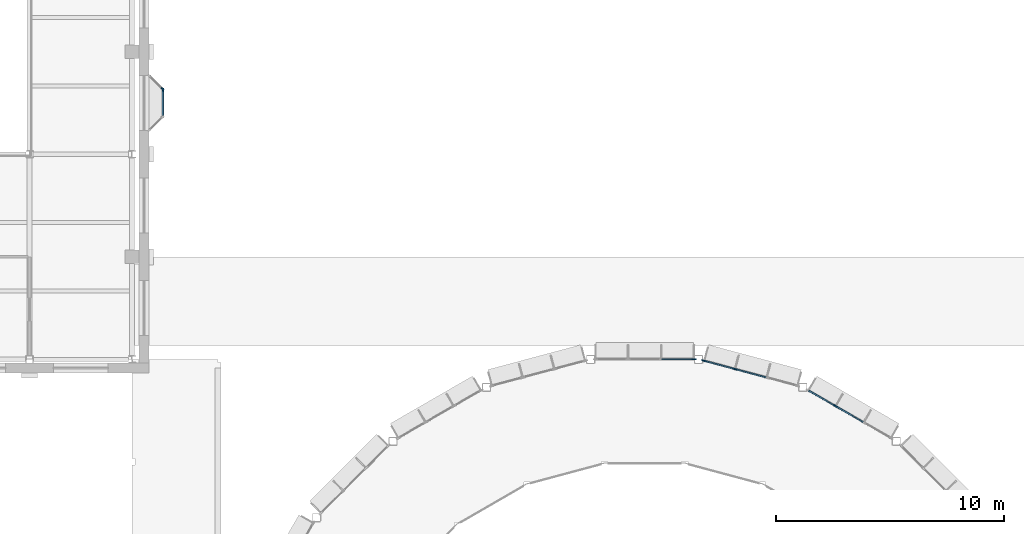
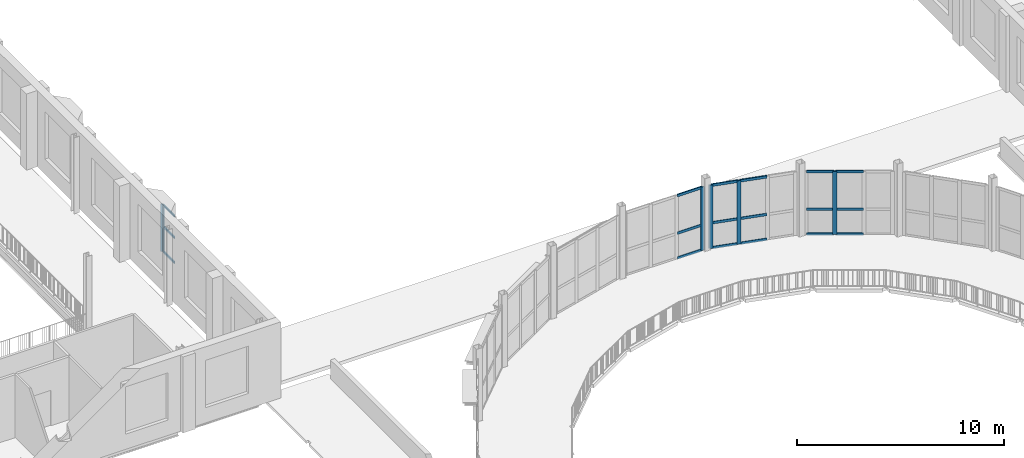
# One storey, part 18 of 74: 24 members, 5 elements without a shape of their own.
"""IFC4 building model written with IfcOpenShell, lengths in metres."""

from ifc_helpers import new_model, si_unit, direction, frame, origin, origin_2d, place, context, subcontext, project, spatial, rectangle, extrude, material, layer, layer_set, material_profile, profile_set, type_object, element, aggregate, save


model = new_model("IFC4")

# Units and contexts
model_context = context("Model", 3, precision=1e-05, world=origin(), true_north=direction((0.0, 1.0)))
body_context = subcontext(model_context, "Body", "Model", "MODEL_VIEW")
ifc_project = project(units=[si_unit("LENGTHUNIT", "METRE"), si_unit("AREAUNIT", "SQUARE_METRE"), si_unit("VOLUMEUNIT", "CUBIC_METRE"), si_unit("PLANEANGLEUNIT", "RADIAN"), si_unit("MASSUNIT", "GRAM", prefix="KILO")], contexts=[model_context])

# Site, building, storey
site_placement = place(None, origin())
site = spatial("IfcSite", under=ifc_project, at=site_placement, CompositionType="ELEMENT")
building_placement = place(site_placement, origin())
building = spatial("IfcBuilding", under=site, at=building_placement, Name="Hortulan Conservatory and Botanical Research Centre", CompositionType="ELEMENT")
storey_placement = place(building_placement, frame((0.0, 0.0, 6.0)))
storey = spatial("IfcBuildingStorey", under=building, at=storey_placement, Name="L01", CompositionType="ELEMENT", Elevation=6.0)

# Curtain wall, member
ifc_material = material(Name="Bronze-finished aluminium", Category="aluminium")
ifc_layer_1 = layer(ifc_material, 0.10009765625)
ifc_layer_set_1 = layer_set([ifc_layer_1], Name="Oriel Curtain Wall 1350 module")
curtain_wall_type_1 = type_object("IfcCurtainWallType", Name="Oriel Curtain Wall 1350 module", PredefinedType="NOTDEFINED", material=ifc_layer_set_1)
curtain_wall_1_placement = place(storey_placement, origin())
curtain_wall_1 = element("IfcCurtainWall", 1, at=curtain_wall_1_placement, inside=storey, type_object=curtain_wall_type_1, Name="Oriel glazing", PredefinedType="NOTDEFINED")
ifc_material_profile_1 = material_profile(ifc_material, rectangle(XDim=0.06005859375, YDim=0.159912109375, at=origin_2d()), Name="Bronze Mullion 60x160")
ifc_profile_set_1 = profile_set([ifc_material_profile_1], Name="Bronze-finished aluminium")
member_type_1 = type_object("IfcMemberType", Name="Bronze Mullion 60x160", PredefinedType="MULLION", material=ifc_profile_set_1)
member_1_placement = place(storey_placement, frame((32.828857421875, 47.87109375, 0.89990234375), z_axis=(0.0, 0.0, 1.0), x_axis=(0.707106781187, 0.707106781187, 0.0)))
member_1 = element("IfcMember", 2, at=member_1_placement, type_object=member_type_1, Name="CW2 mullion 2", PredefinedType="MULLION", context=body_context, shape_type="SweptSolid", body=[
    extrude(rectangle(XDim=0.06005859375, YDim=0.159912109375, at=origin_2d()), origin(), (0.0, 0.0, 1.0), 2.800048828125),
])
aggregate(curtain_wall_1, [member_1])

curtain_wall_2_placement = place(storey_placement, origin())
curtain_wall_2 = element("IfcCurtainWall", 3, at=curtain_wall_2_placement, inside=storey, type_object=curtain_wall_type_1, Name="Oriel glazing", PredefinedType="NOTDEFINED")
member_2_placement = place(storey_placement, frame((32.85009765625, 47.820068359375, 0.89990234375), z_axis=(0.0, 0.0, 1.0), x_axis=(1.0, 0.0, 0.0)))
member_2 = element("IfcMember", 4, at=member_2_placement, type_object=member_type_1, Name="CW2 mullion 1", PredefinedType="MULLION", context=body_context, shape_type="SweptSolid", body=[
    extrude(rectangle(XDim=0.06005859375, YDim=0.159912109375, at=origin_2d()), origin(), (0.0, 0.0, 1.0), 2.800048828125),
])

ifc_layer_2 = layer(ifc_material, 0.10009765625)
ifc_layer_set_2 = layer_set([ifc_layer_2], Name="Bronze-framed Curtain Wall 1500 module")
curtain_wall_type_2 = type_object("IfcCurtainWallType", Name="Bronze-framed Curtain Wall 1500 module", PredefinedType="NOTDEFINED", material=ifc_layer_set_2)
curtain_wall_3_placement = place(storey_placement, origin())
curtain_wall_3 = element("IfcCurtainWall", 5, at=curtain_wall_3_placement, inside=storey, type_object=curtain_wall_type_2, Name="Curtain wall", PredefinedType="NOTDEFINED")
ifc_material_profile_2 = material_profile(ifc_material, rectangle(XDim=0.06005859375, YDim=0.199951171875, at=origin_2d()), Name="Bronze Mullion 60x200")
ifc_profile_set_2 = profile_set([ifc_material_profile_2], Name="Bronze-finished aluminium")
member_type_2 = type_object("IfcMemberType", Name="Bronze Mullion 60x200", PredefinedType="MULLION", material=ifc_profile_set_2)
member_3_placement = place(storey_placement, frame((62.385009765625, 33.943603515625, 0.0), z_axis=(0.0, 0.0, 1.0), x_axis=(0.499981160235, 0.866036280655, 0.0)))
member_3 = element("IfcMember", 6, at=member_3_placement, type_object=member_type_2, Name="CW1 mullion 2", PredefinedType="MULLION", context=body_context, shape_type="SweptSolid", body=[
    extrude(rectangle(XDim=0.06005859375, YDim=0.199951171875, at=origin_2d()), origin(), (0.0, 0.0, 1.0), 3.75),
])

# Curtain wall, members
curtain_wall_4_placement = place(storey_placement, origin())
curtain_wall_4 = element("IfcCurtainWall", 7, at=curtain_wall_4_placement, inside=storey, type_object=curtain_wall_type_2, Name="Curtain wall", PredefinedType="NOTDEFINED")
member_4_placement = place(storey_placement, frame((56.60595703125, 35.936767578125, 0.0), z_axis=(0.0, 0.0, 1.0), x_axis=(0.258831936284, 0.965922372015, 0.0)))
member_4 = element("IfcMember", 8, at=member_4_placement, type_object=member_type_2, Name="CW1 mullion 1", PredefinedType="MULLION", context=body_context, shape_type="SweptSolid", body=[
    extrude(rectangle(XDim=0.06005859375, YDim=0.199951171875, at=origin_2d()), origin(), (0.0, 0.0, 1.0), 3.75),
])
member_5_placement = place(storey_placement, frame((57.965087890625, 35.572509765625, 0.0), z_axis=(0.0, 0.0, 1.0), x_axis=(0.258831936284, 0.965922372015, 0.0)))
member_5 = element("IfcMember", 9, at=member_5_placement, type_object=member_type_2, Name="CW1 mullion 2", PredefinedType="MULLION", context=body_context, shape_type="SweptSolid", body=[
    extrude(rectangle(XDim=0.06005859375, YDim=0.199951171875, at=origin_2d()), origin(), (0.0, 0.0, 1.0), 3.75),
])

# Curtain wall, member
curtain_wall_5_placement = place(storey_placement, origin())
curtain_wall_5 = element("IfcCurtainWall", 10, at=curtain_wall_5_placement, inside=storey, type_object=curtain_wall_type_2, Name="Curtain wall", PredefinedType="NOTDEFINED")
member_6_placement = place(storey_placement, frame((56.1650390625, 36.0, 0.0), z_axis=(0.0, 0.0, 1.0), x_axis=(0.0, 1.0, 0.0)))
member_6 = element("IfcMember", 11, at=member_6_placement, type_object=member_type_2, Name="CW1 mullion 4", PredefinedType="MULLION", context=body_context, shape_type="SweptSolid", body=[
    extrude(rectangle(XDim=0.06005859375, YDim=0.199951171875, at=origin_2d()), origin(), (0.0, 0.0, 1.0), 3.75),
])

# Member
ifc_material_profile_3 = material_profile(ifc_material, rectangle(XDim=0.06005859375, YDim=0.1201171875, at=origin_2d()), Name="Bronze Transom 60x120")
ifc_profile_set_3 = profile_set([ifc_material_profile_3], Name="Bronze-finished aluminium")
member_type_3 = type_object("IfcMemberType", Name="Bronze Transom 60x120", PredefinedType="USERDEFINED", material=ifc_profile_set_3)
member_7_placement = place(storey_placement, frame((32.85009765625, 47.7900390625, 0.929931640625), z_axis=(0.0, -1.0, 0.0), x_axis=(1.0, 0.0, 0.0)))
member_7 = element("IfcMember", 12, at=member_7_placement, type_object=member_type_3, Name="CW2 transom 1.1", ObjectType="TRANSOM", PredefinedType="USERDEFINED", context=body_context, shape_type="SweptSolid", body=[
    extrude(rectangle(XDim=0.06005859375, YDim=0.1201171875, at=origin_2d()), origin(), (0.0, 0.0, 1.0), 1.080078125),
])

member_8_placement = place(storey_placement, frame((32.85009765625, 47.7900390625, 2.39990234375), z_axis=(0.0, -1.0, 0.0), x_axis=(1.0, 0.0, 0.0)))
member_8 = element("IfcMember", 13, at=member_8_placement, type_object=member_type_3, Name="CW2 transom 1.2", ObjectType="TRANSOM", PredefinedType="USERDEFINED", context=body_context, shape_type="SweptSolid", body=[
    extrude(rectangle(XDim=0.06005859375, YDim=0.1201171875, at=origin_2d()), origin(), (0.0, 0.0, 1.0), 1.080078125),
])

member_9_placement = place(storey_placement, frame((32.85009765625, 47.7900390625, 3.669921875), z_axis=(0.0, -1.0, 0.0), x_axis=(1.0, 0.0, 0.0)))
member_9 = element("IfcMember", 14, at=member_9_placement, type_object=member_type_3, Name="CW2 transom 1.3", ObjectType="TRANSOM", PredefinedType="USERDEFINED", context=body_context, shape_type="SweptSolid", body=[
    extrude(rectangle(XDim=0.06005859375, YDim=0.1201171875, at=origin_2d()), origin(), (0.0, 0.0, 1.0), 1.080078125),
])

aggregate(curtain_wall_2, [member_2, member_7, member_8, member_9])

ifc_material_profile_4 = material_profile(ifc_material, rectangle(XDim=0.06005859375, YDim=0.14990234375, at=origin_2d()), Name="Bronze Transom 60x150")
ifc_profile_set_4 = profile_set([ifc_material_profile_4], Name="Bronze-finished aluminium")
member_type_4 = type_object("IfcMemberType", Name="Bronze Transom 60x150", PredefinedType="USERDEFINED", material=ifc_profile_set_4)
member_10_placement = place(storey_placement, frame((61.20703125, 34.62353515625, 0.030029296875), z_axis=(0.866066400931, -0.499928984136, 0.0), x_axis=(0.499928984136, 0.866066400931, 0.0)))
member_10 = element("IfcMember", 15, at=member_10_placement, type_object=member_type_4, Name="CW1 transom 1.1", ObjectType="TRANSOM", PredefinedType="USERDEFINED", context=body_context, shape_type="SweptSolid", body=[
    extrude(rectangle(XDim=0.06005859375, YDim=0.14990234375, at=origin_2d()), origin(), (0.0, 0.0, 1.0), 1.330322265625),
])

member_11_placement = place(storey_placement, frame((61.20703125, 34.62353515625, 1.5), z_axis=(0.866066400931, -0.499928984136, 0.0), x_axis=(0.499928984136, 0.866066400931, 0.0)))
member_11 = element("IfcMember", 16, at=member_11_placement, type_object=member_type_4, Name="CW1 transom 1.2", ObjectType="TRANSOM", PredefinedType="USERDEFINED", context=body_context, shape_type="SweptSolid", body=[
    extrude(rectangle(XDim=0.06005859375, YDim=0.14990234375, at=origin_2d()), origin(), (0.0, 0.0, 1.0), 1.330322265625),
])

member_12_placement = place(storey_placement, frame((61.20703125, 34.62353515625, 3.719970703125), z_axis=(0.866066400931, -0.499928984136, 0.0), x_axis=(0.499928984136, 0.866066400931, 0.0)))
member_12 = element("IfcMember", 17, at=member_12_placement, type_object=member_type_4, Name="CW1 transom 1.3", ObjectType="TRANSOM", PredefinedType="USERDEFINED", context=body_context, shape_type="SweptSolid", body=[
    extrude(rectangle(XDim=0.06005859375, YDim=0.14990234375, at=origin_2d()), origin(), (0.0, 0.0, 1.0), 1.330322265625),
])

member_13_placement = place(storey_placement, frame((62.4111328125, 33.928466796875, 0.030029296875), z_axis=(0.866036107898, -0.499981459473, 0.0), x_axis=(0.499981459473, 0.866036107898, 0.0)))
member_13 = element("IfcMember", 18, at=member_13_placement, type_object=member_type_4, Name="CW1 transom 2.1", ObjectType="TRANSOM", PredefinedType="USERDEFINED", context=body_context, shape_type="SweptSolid", body=[
    extrude(rectangle(XDim=0.06005859375, YDim=0.14990234375, at=origin_2d()), origin(), (0.0, 0.0, 1.0), 1.35986328125),
])

member_14_placement = place(storey_placement, frame((62.4111328125, 33.928466796875, 1.5), z_axis=(0.866036107898, -0.499981459473, 0.0), x_axis=(0.499981459473, 0.866036107898, 0.0)))
member_14 = element("IfcMember", 19, at=member_14_placement, type_object=member_type_4, Name="CW1 transom 2.2", ObjectType="TRANSOM", PredefinedType="USERDEFINED", context=body_context, shape_type="SweptSolid", body=[
    extrude(rectangle(XDim=0.06005859375, YDim=0.14990234375, at=origin_2d()), origin(), (0.0, 0.0, 1.0), 1.35986328125),
])

member_15_placement = place(storey_placement, frame((62.4111328125, 33.928466796875, 3.719970703125), z_axis=(0.866036107898, -0.499981459473, 0.0), x_axis=(0.499981459473, 0.866036107898, 0.0)))
member_15 = element("IfcMember", 20, at=member_15_placement, type_object=member_type_4, Name="CW1 transom 2.3", ObjectType="TRANSOM", PredefinedType="USERDEFINED", context=body_context, shape_type="SweptSolid", body=[
    extrude(rectangle(XDim=0.06005859375, YDim=0.14990234375, at=origin_2d()), origin(), (0.0, 0.0, 1.0), 1.35986328125),
])

aggregate(curtain_wall_3, [member_3, member_10, member_11, member_12, member_13, member_14, member_15])

member_16_placement = place(storey_placement, frame((56.635009765625, 35.928955078125, 0.030029296875), z_axis=(0.965921351189, -0.258835745824, 0.0), x_axis=(0.258835745824, 0.965921351189, 0.0)))
member_16 = element("IfcMember", 21, at=member_16_placement, type_object=member_type_4, Name="CW1 transom 1.1", ObjectType="TRANSOM", PredefinedType="USERDEFINED", context=body_context, shape_type="SweptSolid", body=[
    extrude(rectangle(XDim=0.06005859375, YDim=0.14990234375, at=origin_2d()), origin(), (0.0, 0.0, 1.0), 1.346923828125),
])

member_17_placement = place(storey_placement, frame((56.635009765625, 35.928955078125, 1.5), z_axis=(0.965921351189, -0.258835745824, 0.0), x_axis=(0.258835745824, 0.965921351189, 0.0)))
member_17 = element("IfcMember", 22, at=member_17_placement, type_object=member_type_4, Name="CW1 transom 1.2", ObjectType="TRANSOM", PredefinedType="USERDEFINED", context=body_context, shape_type="SweptSolid", body=[
    extrude(rectangle(XDim=0.06005859375, YDim=0.14990234375, at=origin_2d()), origin(), (0.0, 0.0, 1.0), 1.346923828125),
])

member_18_placement = place(storey_placement, frame((56.635009765625, 35.928955078125, 3.719970703125), z_axis=(0.965921351189, -0.258835745824, 0.0), x_axis=(0.258835745824, 0.965921351189, 0.0)))
member_18 = element("IfcMember", 23, at=member_18_placement, type_object=member_type_4, Name="CW1 transom 1.3", ObjectType="TRANSOM", PredefinedType="USERDEFINED", context=body_context, shape_type="SweptSolid", body=[
    extrude(rectangle(XDim=0.06005859375, YDim=0.14990234375, at=origin_2d()), origin(), (0.0, 0.0, 1.0), 1.346923828125),
])

member_19_placement = place(storey_placement, frame((57.993896484375, 35.564697265625, 0.030029296875), z_axis=(0.965960711262, -0.258688817498, 0.0), x_axis=(0.258688817498, 0.965960711262, 0.0)))
member_19 = element("IfcMember", 24, at=member_19_placement, type_object=member_type_4, Name="CW1 transom 2.1", ObjectType="TRANSOM", PredefinedType="USERDEFINED", context=body_context, shape_type="SweptSolid", body=[
    extrude(rectangle(XDim=0.06005859375, YDim=0.14990234375, at=origin_2d()), origin(), (0.0, 0.0, 1.0), 1.376953125),
])

member_20_placement = place(storey_placement, frame((57.993896484375, 35.564697265625, 1.5), z_axis=(0.965960711262, -0.258688817498, 0.0), x_axis=(0.258688817498, 0.965960711262, 0.0)))
member_20 = element("IfcMember", 25, at=member_20_placement, type_object=member_type_4, Name="CW1 transom 2.2", ObjectType="TRANSOM", PredefinedType="USERDEFINED", context=body_context, shape_type="SweptSolid", body=[
    extrude(rectangle(XDim=0.06005859375, YDim=0.14990234375, at=origin_2d()), origin(), (0.0, 0.0, 1.0), 1.376953125),
])

member_21_placement = place(storey_placement, frame((57.993896484375, 35.564697265625, 3.719970703125), z_axis=(0.965960711262, -0.258688817498, 0.0), x_axis=(0.258688817498, 0.965960711262, 0.0)))
member_21 = element("IfcMember", 26, at=member_21_placement, type_object=member_type_4, Name="CW1 transom 2.3", ObjectType="TRANSOM", PredefinedType="USERDEFINED", context=body_context, shape_type="SweptSolid", body=[
    extrude(rectangle(XDim=0.06005859375, YDim=0.14990234375, at=origin_2d()), origin(), (0.0, 0.0, 1.0), 1.376953125),
])

aggregate(curtain_wall_4, [member_4, member_5, member_16, member_17, member_18, member_19, member_20, member_21])

member_22_placement = place(storey_placement, frame((54.76171875, 36.0, 0.030029296875), z_axis=(1.0, 0.0, 0.0), x_axis=(0.0, 1.0, 0.0)))
member_22 = element("IfcMember", 27, at=member_22_placement, type_object=member_type_4, Name="CW1 transom 3.1", ObjectType="TRANSOM", PredefinedType="USERDEFINED", context=body_context, shape_type="SweptSolid", body=[
    extrude(rectangle(XDim=0.06005859375, YDim=0.14990234375, at=origin_2d()), origin(), (0.0, 0.0, 1.0), 1.373291015625),
])

member_23_placement = place(storey_placement, frame((54.76171875, 36.0, 1.5), z_axis=(1.0, 0.0, 0.0), x_axis=(0.0, 1.0, 0.0)))
member_23 = element("IfcMember", 28, at=member_23_placement, type_object=member_type_4, Name="CW1 transom 3.2", ObjectType="TRANSOM", PredefinedType="USERDEFINED", context=body_context, shape_type="SweptSolid", body=[
    extrude(rectangle(XDim=0.06005859375, YDim=0.14990234375, at=origin_2d()), origin(), (0.0, 0.0, 1.0), 1.373291015625),
])

member_24_placement = place(storey_placement, frame((54.76171875, 36.0, 3.719970703125), z_axis=(1.0, 0.0, 0.0), x_axis=(0.0, 1.0, 0.0)))
member_24 = element("IfcMember", 29, at=member_24_placement, type_object=member_type_4, Name="CW1 transom 3.3", ObjectType="TRANSOM", PredefinedType="USERDEFINED", context=body_context, shape_type="SweptSolid", body=[
    extrude(rectangle(XDim=0.06005859375, YDim=0.14990234375, at=origin_2d()), origin(), (0.0, 0.0, 1.0), 1.373291015625),
])

aggregate(curtain_wall_5, [member_6, member_22, member_23, member_24])

save(model, "model.ifc")
